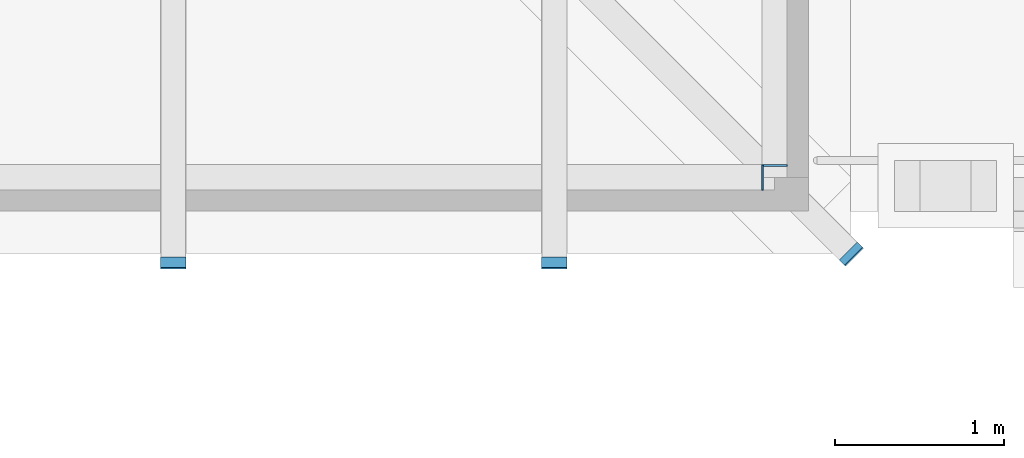
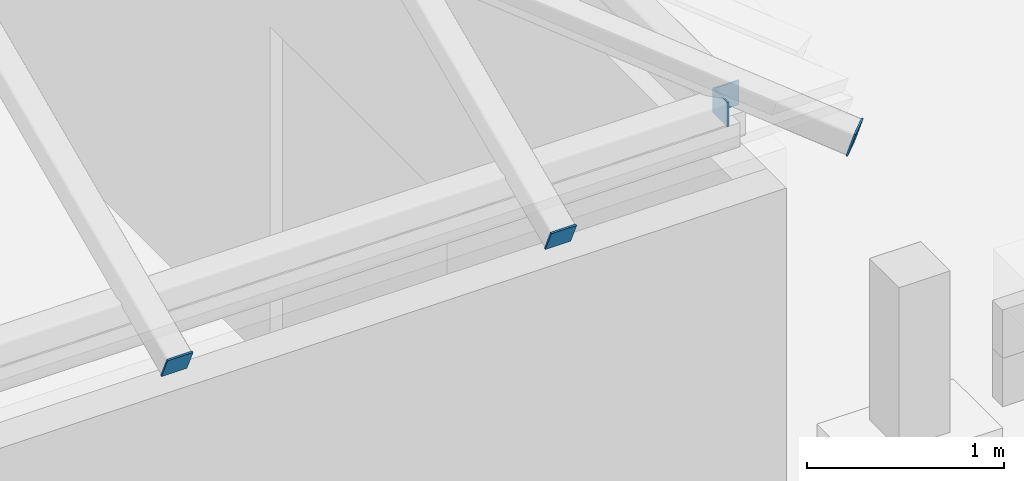
# One storey, part 107 of 149: 5 discrete accessories.
"""IFC4 building model written with IfcOpenShell, lengths in metres."""

from ifc_helpers import new_model, si_unit, direction, frame, origin, origin_2d, place, context, subcontext, project, spatial, rectangle, extrude, material, material_profile, profile_set, type_object, element, save


model = new_model("IFC4")

# Units and contexts
model_context = context("Model", 3, precision=1e-05, world=origin(), true_north=direction((0.0, 1.0)))
body_context = subcontext(model_context, "Body", "Model", "MODEL_VIEW")
ifc_project = project(units=[si_unit("LENGTHUNIT", "METRE"), si_unit("AREAUNIT", "SQUARE_METRE"), si_unit("VOLUMEUNIT", "CUBIC_METRE"), si_unit("PLANEANGLEUNIT", "RADIAN"), si_unit("MASSUNIT", "GRAM", prefix="KILO")], contexts=[model_context])

# Site, building, storey
site_placement = place(None, origin())
site = spatial("IfcSite", under=ifc_project, at=site_placement, CompositionType="ELEMENT")
building_placement = place(site_placement, origin())
building = spatial("IfcBuilding", under=site, at=building_placement, Name="Kallimachos Central Library", CompositionType="ELEMENT")
storey_placement = place(building_placement, frame((0.0, 0.0, 9.89990234375)))
storey = spatial("IfcBuildingStorey", under=building, at=storey_placement, Name="L02", CompositionType="ELEMENT", Elevation=9.89990234375)

# Discrete accessories
ifc_material = material(Name="Steel S355J2", Category="steel")
ifc_material_profile = material_profile(ifc_material, rectangle(XDim=0.14990234375, YDim=0.14990234375, at=origin_2d()), Name="End cap plate 10, 150x150")
ifc_profile_set = profile_set([ifc_material_profile], Name="Steel S355J2")
discrete_accessory_type = type_object("IfcDiscreteAccessoryType", Name="End cap plate 10, 150x150", PredefinedType="BRACKET", material=ifc_profile_set)
for number, where, z_axis, x_axis, name in (
    (1, (74.22509765625, 48.199951171875, 4.47509765625), (1.0, 0.0, 0.0), (0.0, 1.0, 0.0), "End cap plate"),
    (2, (74.300048828125, 48.264892578125, 4.47509765625), (0.0, 1.0, 0.0), (-1.0, 0.0, 0.0), "End cap plate"),
    (3, (70.75, 47.69091796875, 4.405517578125), (0.0, 0.908676843963, 0.417500171551), (-1.0, 0.0, 0.0), "End cap plate"),
    (4, (73.0, 47.69091796875, 4.405517578125), (0.0, 0.908676843963, 0.417500171551), (-1.0, 0.0, 0.0), "End cap plate"),
    (5, (74.7568359375, 47.7431640625, 4.378662109375), (-0.676715542332, 0.676715542332, 0.290020946714), (-0.707106781187, -0.707106781187, 0.0), "End cap plate"),
):
    element("IfcDiscreteAccessory", number, at=place(storey_placement, frame(where, z_axis=z_axis, x_axis=x_axis)), inside=storey, type_object=discrete_accessory_type, Name=name, PredefinedType="BRACKET", context=body_context, shape_type="SweptSolid", body=[
        extrude(rectangle(XDim=0.14990234375, YDim=0.14990234375, at=origin_2d()), origin(), (0.0, 0.0, 1.0), 0.010009765625),
    ])

save(model, "model.ifc")
